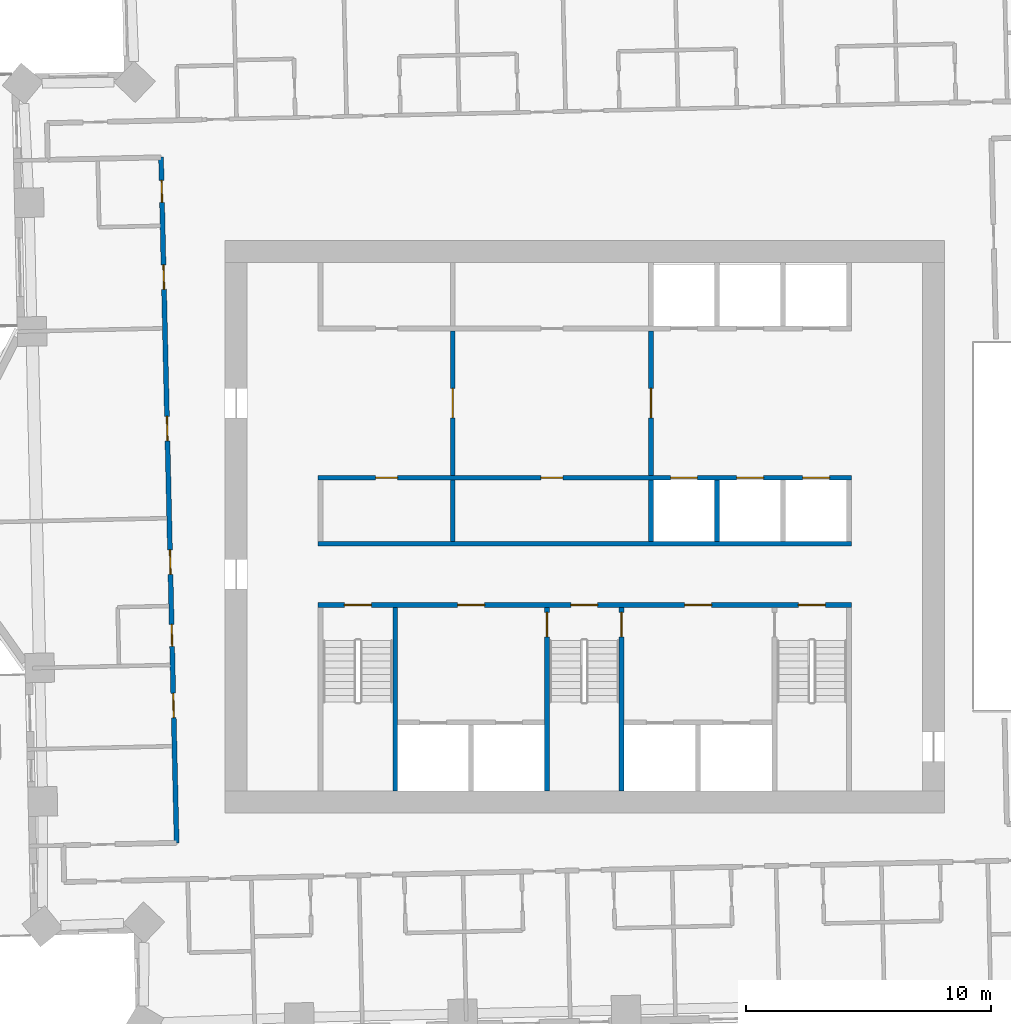
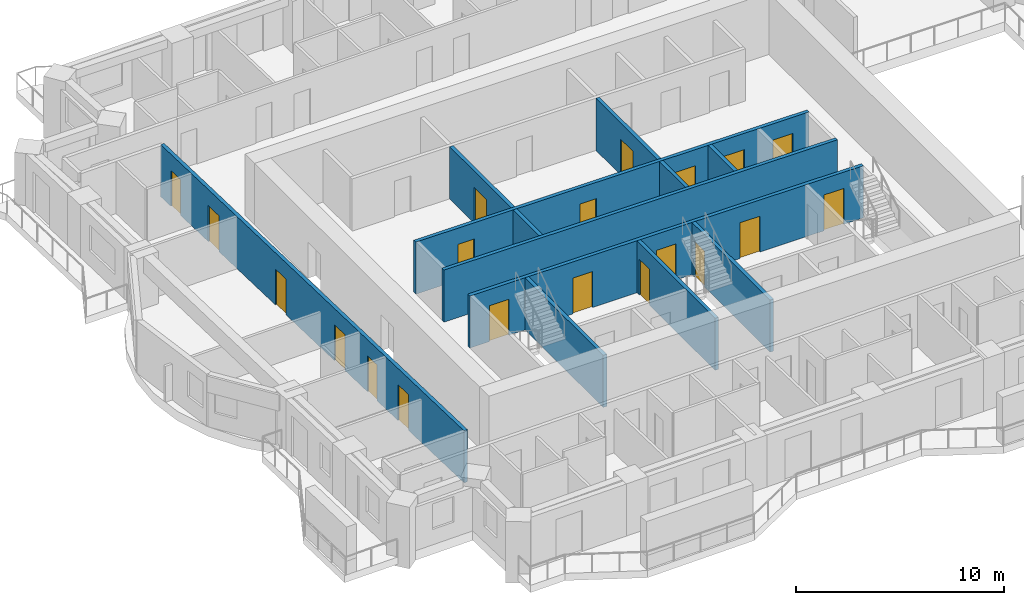
# One storey, part 8 of 16: 20 doors, 12 walls, 20 openings.
"""IFC4 building model written with IfcOpenShell, lengths in metres."""

from ifc_helpers import new_model, si_unit, direction, frame, frame_2d, origin, place, context, subcontext, project, spatial, rectangle, extrude, material, layer, layer_set, type_object, element, fill, save


model = new_model("IFC4")

# Units and contexts
model_context = context("Model", 3, precision=1e-05, world=origin(), true_north=direction((0.0, 1.0)))
body_context = subcontext(model_context, "Body", "Model", "MODEL_VIEW")
ifc_project = project(units=[si_unit("LENGTHUNIT", "METRE"), si_unit("AREAUNIT", "SQUARE_METRE"), si_unit("VOLUMEUNIT", "CUBIC_METRE"), si_unit("PLANEANGLEUNIT", "RADIAN"), si_unit("MASSUNIT", "GRAM", prefix="KILO")], contexts=[model_context])

# Site, building, storey
site_placement = place(None, origin())
site = spatial("IfcSite", under=ifc_project, at=site_placement, CompositionType="ELEMENT")
building_placement = place(site_placement, origin())
building = spatial("IfcBuilding", under=site, at=building_placement, Name="Mangrove Gate Tower", CompositionType="ELEMENT")
storey_placement = place(building_placement, frame((0.0, 0.0, 178.89990234375)))
storey = spatial("IfcBuildingStorey", under=building, at=storey_placement, Name="L45", CompositionType="ELEMENT", Elevation=178.89990234375)

# Wall, opening, door
ifc_material_1 = material(Name="Concrete C32/40", Category="concrete")
ifc_layer_1 = layer(ifc_material_1, 0.199951171875)
ifc_layer_set_1 = layer_set([ifc_layer_1], Name="Core lobby wall 200 C32/40")
wall_type_1 = type_object("IfcWallType", Name="Core lobby wall 200 C32/40", PredefinedType="STANDARD", material=ifc_layer_set_1)
wall_1_placement = place(storey_placement, frame((-5.39990234375, 2.10009765625, 0.0), z_axis=(0.0, 0.0, 1.0), x_axis=(0.0, 1.0, 0.0)))
wall_1 = element("IfcWall", 1, at=wall_1_placement, inside=storey, type_object=wall_type_1, Name="WALL-L45-CORE-31", PredefinedType="STANDARD", context=body_context, shape_type="SweptSolid", body=[
    extrude(rectangle(XDim=5.89990234375, YDim=0.199951171875, at=frame_2d((2.949951171875, 0.0))), origin(), (0.0, 0.0, 1.0), 3.050048828125),
])
opening_1_placement = place(wall_1_placement, frame((2.35009765625, 0.0, 0.0)))
opening_1 = element("IfcOpeningElement", 2, at=opening_1_placement, cuts=wall_1, Name="Opening FL12", PredefinedType="OPENING", context=body_context, shape_type="SweptSolid", body=[
    extrude(rectangle(XDim=1.199951171875, YDim=2.10009765625, at=frame_2d((0.60009765625, 1.050048828125))), frame((0.0, 0.10986328125, 0.0), z_axis=(0.0, -1.0, 0.0), x_axis=(1.0, 0.0, 0.0)), (0.0, 0.0, 1.0), 0.219970703125),
])
ifc_material_2 = material(Name="Fire-rated steel door set", Category="steel")
door_type_1 = type_object("IfcDoorType", Name="Lobby door FD60 1200x2100", OperationType="SINGLE_SWING_LEFT", PredefinedType="DOOR", material=ifc_material_2)
door_1_placement = place(opening_1_placement, origin())
door_1 = element("IfcDoor", 3, at=door_1_placement, inside=storey, type_object=door_type_1, Name="Lobby door lift lobby partition", OperationType="SINGLE_SWING_LEFT", OverallHeight=2.10009765625, OverallWidth=1.199951171875, PredefinedType="DOOR", context=body_context, shape_type="SweptSolid", body=[
    extrude(rectangle(XDim=1.199951171875, YDim=2.10009765625, at=frame_2d((0.60009765625, 1.050048828125))), frame((0.0, 0.02490234375, 0.0), z_axis=(0.0, -1.0, 0.0), x_axis=(1.0, 0.0, 0.0)), (0.0, 0.0, 1.0), 0.050048828125),
])
fill(opening_1, door_1)

wall_2_placement = place(storey_placement, frame((2.699951171875, 2.10009765625, 0.0), z_axis=(0.0, 0.0, 1.0), x_axis=(0.0, 1.0, 0.0)))
wall_2 = element("IfcWall", 4, at=wall_2_placement, inside=storey, type_object=wall_type_1, Name="WALL-L45-CORE-32", PredefinedType="STANDARD", context=body_context, shape_type="SweptSolid", body=[
    extrude(rectangle(XDim=5.89990234375, YDim=0.199951171875, at=frame_2d((2.949951171875, 0.0))), origin(), (0.0, 0.0, 1.0), 3.050048828125),
])
opening_2_placement = place(wall_2_placement, frame((2.35009765625, 0.0, 0.0)))
opening_2 = element("IfcOpeningElement", 5, at=opening_2_placement, cuts=wall_2, Name="Opening FL12", PredefinedType="OPENING", context=body_context, shape_type="SweptSolid", body=[
    extrude(rectangle(XDim=1.199951171875, YDim=2.10009765625, at=frame_2d((0.60009765625, 1.050048828125))), frame((0.0, 0.10986328125, 0.0), z_axis=(0.0, -1.0, 0.0), x_axis=(1.0, 0.0, 0.0)), (0.0, 0.0, 1.0), 0.219970703125),
])
door_2_placement = place(opening_2_placement, origin())
door_2 = element("IfcDoor", 6, at=door_2_placement, inside=storey, type_object=door_type_1, Name="Lobby door lift lobby partition", OperationType="SINGLE_SWING_LEFT", OverallHeight=2.10009765625, OverallWidth=1.199951171875, PredefinedType="DOOR", context=body_context, shape_type="SweptSolid", body=[
    extrude(rectangle(XDim=1.199951171875, YDim=2.10009765625, at=frame_2d((0.60009765625, 1.050048828125))), frame((0.0, 0.02490234375, 0.0), z_axis=(0.0, -1.0, 0.0), x_axis=(1.0, 0.0, 0.0)), (0.0, 0.0, 1.0), 0.050048828125),
])
fill(opening_2, door_2)

# Walls
ifc_material_3 = material(Name="Concrete C32/40", Category="concrete")
ifc_layer_2 = layer(ifc_material_3, 0.199951171875)
ifc_layer_set_2 = layer_set([ifc_layer_2], Name="Core room wall 200 C32/40")
wall_type_2 = type_object("IfcWallType", Name="Core room wall 200 C32/40", PredefinedType="STANDARD", material=ifc_layer_set_2)
wall_3_placement = place(storey_placement, frame((-5.39990234375, -0.60009765625, 0.0), z_axis=(0.0, 0.0, 1.0), x_axis=(0.0, 1.0, 0.0)))
element("IfcWall", 7, at=wall_3_placement, inside=storey, type_object=wall_type_2, Name="WALL-L45-CORE-20", PredefinedType="STANDARD", context=body_context, shape_type="SweptSolid", body=[
    extrude(rectangle(XDim=2.5, YDim=0.199951171875, at=frame_2d((1.25, 0.0))), origin(), (0.0, 0.0, 1.0), 3.050048828125),
])
ifc_material_4 = material(Name="Concrete C60/75", Category="concrete")
ifc_layer_3 = layer(ifc_material_4, 0.199951171875)
ifc_layer_set_3 = layer_set([ifc_layer_3], Name="Core shaft wall 200 C60/75")
wall_type_3 = type_object("IfcWallType", Name="Core shaft wall 200 C60/75", PredefinedType="SHEAR", material=ifc_layer_set_3)
wall_4_placement = place(storey_placement, frame((-10.89990234375, -0.699951171875, 0.0), z_axis=(0.0, 0.0, 1.0), x_axis=(1.0, 0.0, 0.0)))
element("IfcWall", 8, at=wall_4_placement, inside=storey, type_object=wall_type_3, Name="WALL-L45-CORE-6", PredefinedType="SHEAR", context=body_context, shape_type="SweptSolid", body=[
    extrude(rectangle(XDim=21.7998046875, YDim=0.199951171875, at=frame_2d((10.89990234375, 0.0))), origin(), (0.0, 0.0, 1.0), 3.050048828125),
])

# Wall, openings, doors
wall_5_placement = place(storey_placement, frame((-10.89990234375, 2.0, 0.0), z_axis=(0.0, 0.0, 1.0), x_axis=(1.0, 0.0, 0.0)))
wall_5 = element("IfcWall", 9, at=wall_5_placement, inside=storey, type_object=wall_type_3, Name="WALL-L45-CORE-7", PredefinedType="SHEAR", context=body_context, shape_type="SweptSolid", body=[
    extrude(rectangle(XDim=21.7998046875, YDim=0.199951171875, at=frame_2d((10.89990234375, 0.0))), origin(), (0.0, 0.0, 1.0), 3.050048828125),
])
opening_3_placement = place(wall_5_placement, frame((14.39990234375, 0.0, 0.0)))
opening_3 = element("IfcOpeningElement", 10, at=opening_3_placement, cuts=wall_5, Name="Opening LD", PredefinedType="OPENING", context=body_context, shape_type="SweptSolid", body=[
    extrude(rectangle(XDim=1.10009765625, YDim=2.10009765625, at=frame_2d((0.550048828125, 1.050048828125))), frame((0.0, 0.10986328125, 0.0), z_axis=(0.0, -1.0, 0.0), x_axis=(1.0, 0.0, 0.0)), (0.0, 0.0, 1.0), 0.219970703125),
])
opening_4_placement = place(wall_5_placement, frame((17.10009765625, 0.0, 0.0)))
opening_4 = element("IfcOpeningElement", 11, at=opening_4_placement, cuts=wall_5, Name="Opening LD", PredefinedType="OPENING", context=body_context, shape_type="SweptSolid", body=[
    extrude(rectangle(XDim=1.10009765625, YDim=2.10009765625, at=frame_2d((0.550048828125, 1.050048828125))), frame((0.0, 0.10986328125, 0.0), z_axis=(0.0, -1.0, 0.0), x_axis=(1.0, 0.0, 0.0)), (0.0, 0.0, 1.0), 0.219970703125),
])
opening_5_placement = place(wall_5_placement, frame((19.800048828125, 0.0, 0.0)))
opening_5 = element("IfcOpeningElement", 12, at=opening_5_placement, cuts=wall_5, Name="Opening LD", PredefinedType="OPENING", context=body_context, shape_type="SweptSolid", body=[
    extrude(rectangle(XDim=1.10009765625, YDim=2.10009765625, at=frame_2d((0.550048828125, 1.050048828125))), frame((0.0, 0.10986328125, 0.0), z_axis=(0.0, -1.0, 0.0), x_axis=(1.0, 0.0, 0.0)), (0.0, 0.0, 1.0), 0.219970703125),
])
opening_6_placement = place(wall_5_placement, frame((2.35009765625, 0.0, 0.0)))
opening_6 = element("IfcOpeningElement", 13, at=opening_6_placement, cuts=wall_5, Name="Opening KD", PredefinedType="OPENING", context=body_context, shape_type="SweptSolid", body=[
    extrude(rectangle(XDim=0.89990234375, YDim=2.10009765625, at=frame_2d((0.449951171875, 1.050048828125))), frame((0.0, 0.10986328125, 0.0), z_axis=(0.0, -1.0, 0.0), x_axis=(1.0, 0.0, 0.0)), (0.0, 0.0, 1.0), 0.219970703125),
])
opening_7_placement = place(wall_5_placement, frame((9.10009765625, 0.0, 0.0)))
opening_7 = element("IfcOpeningElement", 14, at=opening_7_placement, cuts=wall_5, Name="Opening KD", PredefinedType="OPENING", context=body_context, shape_type="SweptSolid", body=[
    extrude(rectangle(XDim=0.89990234375, YDim=2.10009765625, at=frame_2d((0.449951171875, 1.050048828125))), frame((0.0, 0.10986328125, 0.0), z_axis=(0.0, -1.0, 0.0), x_axis=(1.0, 0.0, 0.0)), (0.0, 0.0, 1.0), 0.219970703125),
])
ifc_material_5 = material(Name="Fire-rated steel door set", Category="steel")
door_type_2 = type_object("IfcDoorType", Name="Core room door FD30S 900x2100", OperationType="SINGLE_SWING_RIGHT", PredefinedType="DOOR", material=ifc_material_5)
door_3_placement = place(opening_6_placement, origin())
door_3 = element("IfcDoor", 15, at=door_3_placement, inside=storey, type_object=door_type_2, Name="Core room door Cleaner's store", OperationType="SINGLE_SWING_RIGHT", OverallHeight=2.10009765625, OverallWidth=0.89990234375, PredefinedType="DOOR", context=body_context, shape_type="SweptSolid", body=[
    extrude(rectangle(XDim=0.89990234375, YDim=2.10009765625, at=frame_2d((0.449951171875, 1.050048828125))), frame((0.0, 0.02490234375, 0.0), z_axis=(0.0, -1.0, 0.0), x_axis=(1.0, 0.0, 0.0)), (0.0, 0.0, 1.0), 0.050048828125),
])
fill(opening_6, door_3)
door_4_placement = place(opening_7_placement, origin())
door_4 = element("IfcDoor", 16, at=door_4_placement, inside=storey, type_object=door_type_2, Name="Core room door Refuse store", OperationType="SINGLE_SWING_RIGHT", OverallHeight=2.10009765625, OverallWidth=0.89990234375, PredefinedType="DOOR", context=body_context, shape_type="SweptSolid", body=[
    extrude(rectangle(XDim=0.89990234375, YDim=2.10009765625, at=frame_2d((0.449951171875, 1.050048828125))), frame((0.0, 0.02490234375, 0.0), z_axis=(0.0, -1.0, 0.0), x_axis=(1.0, 0.0, 0.0)), (0.0, 0.0, 1.0), 0.050048828125),
])
fill(opening_7, door_4)
ifc_material_6 = material(Name="Stainless steel 316", Category="steel")
door_type_3 = type_object("IfcDoorType", Name="Lift landing door 1100x2100", OperationType="SLIDING_TO_LEFT", PredefinedType="DOOR", material=ifc_material_6)
door_5_placement = place(opening_3_placement, origin())
door_5 = element("IfcDoor", 17, at=door_5_placement, inside=storey, type_object=door_type_3, Name="Landing door LD M01", OperationType="SLIDING_TO_LEFT", OverallHeight=2.10009765625, OverallWidth=1.10009765625, PredefinedType="DOOR", context=body_context, shape_type="SweptSolid", body=[
    extrude(rectangle(XDim=1.10009765625, YDim=2.10009765625, at=frame_2d((0.550048828125, 1.050048828125))), frame((0.0, 0.02490234375, 0.0), z_axis=(0.0, -1.0, 0.0), x_axis=(1.0, 0.0, 0.0)), (0.0, 0.0, 1.0), 0.050048828125),
])
fill(opening_3, door_5)
door_6_placement = place(opening_4_placement, origin())
door_6 = element("IfcDoor", 18, at=door_6_placement, inside=storey, type_object=door_type_3, Name="Landing door LD M02", OperationType="SLIDING_TO_LEFT", OverallHeight=2.10009765625, OverallWidth=1.10009765625, PredefinedType="DOOR", context=body_context, shape_type="SweptSolid", body=[
    extrude(rectangle(XDim=1.10009765625, YDim=2.10009765625, at=frame_2d((0.550048828125, 1.050048828125))), frame((0.0, 0.02490234375, 0.0), z_axis=(0.0, -1.0, 0.0), x_axis=(1.0, 0.0, 0.0)), (0.0, 0.0, 1.0), 0.050048828125),
])
fill(opening_4, door_6)
door_7_placement = place(opening_5_placement, origin())
door_7 = element("IfcDoor", 19, at=door_7_placement, inside=storey, type_object=door_type_3, Name="Landing door LD M03", OperationType="SLIDING_TO_LEFT", OverallHeight=2.10009765625, OverallWidth=1.10009765625, PredefinedType="DOOR", context=body_context, shape_type="SweptSolid", body=[
    extrude(rectangle(XDim=1.10009765625, YDim=2.10009765625, at=frame_2d((0.550048828125, 1.050048828125))), frame((0.0, 0.02490234375, 0.0), z_axis=(0.0, -1.0, 0.0), x_axis=(1.0, 0.0, 0.0)), (0.0, 0.0, 1.0), 0.050048828125),
])
fill(opening_5, door_7)

# Walls
for number, where, z_axis, x_axis, name in (
    (20, (2.699951171875, -0.60009765625, 0.0), (0.0, 0.0, 1.0), (0.0, 1.0, 0.0), "WALL-L45-CORE-21"),
    (21, (5.39990234375, -0.60009765625, 0.0), (0.0, 0.0, 1.0), (0.0, 1.0, 0.0), "WALL-L45-CORE-22"),
):
    element("IfcWall", number, at=place(storey_placement, frame(where, z_axis=z_axis, x_axis=x_axis)), inside=storey, type_object=wall_type_3, Name=name, PredefinedType="SHEAR", context=body_context, shape_type="SweptSolid", body=[
        extrude(rectangle(XDim=2.5, YDim=0.199951171875, at=frame_2d((1.25, 0.0))), origin(), (0.0, 0.0, 1.0), 3.050048828125),
    ])

# Wall, openings, doors
ifc_material_7 = material(Name="Concrete C60/75", Category="concrete")
ifc_layer_4 = layer(ifc_material_7, 0.199951171875)
ifc_layer_set_4 = layer_set([ifc_layer_4], Name="Core stair wall 200 C60/75")
wall_type_4 = type_object("IfcWallType", Name="Core stair wall 200 C60/75", PredefinedType="SHEAR", material=ifc_layer_set_4)
wall_6_placement = place(storey_placement, frame((-10.89990234375, -3.199951171875, 0.0), z_axis=(0.0, 0.0, 1.0), x_axis=(1.0, 0.0, 0.0)))
wall_6 = element("IfcWall", 22, at=wall_6_placement, inside=storey, type_object=wall_type_4, Name="WALL-L45-CORE-5", PredefinedType="SHEAR", context=body_context, shape_type="SweptSolid", body=[
    extrude(rectangle(XDim=21.7998046875, YDim=0.199951171875, at=frame_2d((10.89990234375, 0.0))), origin(), (0.0, 0.0, 1.0), 3.050048828125),
])
opening_8_placement = place(wall_6_placement, frame((1.074951171875, 0.0, 0.0)))
opening_8 = element("IfcOpeningElement", 23, at=opening_8_placement, cuts=wall_6, Name="Opening STD11", PredefinedType="OPENING", context=body_context, shape_type="SweptSolid", body=[
    extrude(rectangle(XDim=1.10009765625, YDim=2.10009765625, at=frame_2d((0.550048828125, 1.050048828125))), frame((0.0, 0.10986328125, 0.0), z_axis=(0.0, -1.0, 0.0), x_axis=(1.0, 0.0, 0.0)), (0.0, 0.0, 1.0), 0.219970703125),
])
opening_9_placement = place(wall_6_placement, frame((10.324951171875, 0.0, 0.0)))
opening_9 = element("IfcOpeningElement", 24, at=opening_9_placement, cuts=wall_6, Name="Opening STD11", PredefinedType="OPENING", context=body_context, shape_type="SweptSolid", body=[
    extrude(rectangle(XDim=1.10009765625, YDim=2.10009765625, at=frame_2d((0.550048828125, 1.050048828125))), frame((0.0, 0.10986328125, 0.0), z_axis=(0.0, -1.0, 0.0), x_axis=(1.0, 0.0, 0.0)), (0.0, 0.0, 1.0), 0.219970703125),
])
opening_10_placement = place(wall_6_placement, frame((19.625, 0.0, 0.0)))
opening_10 = element("IfcOpeningElement", 25, at=opening_10_placement, cuts=wall_6, Name="Opening STD11", PredefinedType="OPENING", context=body_context, shape_type="SweptSolid", body=[
    extrude(rectangle(XDim=1.10009765625, YDim=2.10009765625, at=frame_2d((0.550048828125, 1.050048828125))), frame((0.0, 0.10986328125, 0.0), z_axis=(0.0, -1.0, 0.0), x_axis=(1.0, 0.0, 0.0)), (0.0, 0.0, 1.0), 0.219970703125),
])
opening_11_placement = place(wall_6_placement, frame((5.699951171875, 0.0, 0.0)))
opening_11 = element("IfcOpeningElement", 26, at=opening_11_placement, cuts=wall_6, Name="Opening FL", PredefinedType="OPENING", context=body_context, shape_type="SweptSolid", body=[
    extrude(rectangle(XDim=1.10009765625, YDim=2.10009765625, at=frame_2d((0.550048828125, 1.050048828125))), frame((0.0, 0.10986328125, 0.0), z_axis=(0.0, -1.0, 0.0), x_axis=(1.0, 0.0, 0.0)), (0.0, 0.0, 1.0), 0.219970703125),
])
opening_12_placement = place(wall_6_placement, frame((14.97509765625, 0.0, 0.0)))
opening_12 = element("IfcOpeningElement", 27, at=opening_12_placement, cuts=wall_6, Name="Opening FL", PredefinedType="OPENING", context=body_context, shape_type="SweptSolid", body=[
    extrude(rectangle(XDim=1.10009765625, YDim=2.10009765625, at=frame_2d((0.550048828125, 1.050048828125))), frame((0.0, 0.10986328125, 0.0), z_axis=(0.0, -1.0, 0.0), x_axis=(1.0, 0.0, 0.0)), (0.0, 0.0, 1.0), 0.219970703125),
])
ifc_material_8 = material(Name="Fire-rated steel door set", Category="steel")
door_type_4 = type_object("IfcDoorType", Name="Lobby door FD60 1100x2100", OperationType="SINGLE_SWING_LEFT", PredefinedType="DOOR", material=ifc_material_8)
door_8_placement = place(opening_11_placement, origin())
door_8 = element("IfcDoor", 28, at=door_8_placement, inside=storey, type_object=door_type_4, Name="Lobby door service lobby", OperationType="SINGLE_SWING_LEFT", OverallHeight=2.10009765625, OverallWidth=1.10009765625, PredefinedType="DOOR", context=body_context, shape_type="SweptSolid", body=[
    extrude(rectangle(XDim=1.10009765625, YDim=2.10009765625, at=frame_2d((0.550048828125, 1.050048828125))), frame((0.0, 0.02490234375, 0.0), z_axis=(0.0, -1.0, 0.0), x_axis=(1.0, 0.0, 0.0)), (0.0, 0.0, 1.0), 0.050048828125),
])
fill(opening_11, door_8)
door_9_placement = place(opening_12_placement, origin())
door_9 = element("IfcDoor", 29, at=door_9_placement, inside=storey, type_object=door_type_4, Name="Lobby door fire-fighting lobby", OperationType="SINGLE_SWING_LEFT", OverallHeight=2.10009765625, OverallWidth=1.10009765625, PredefinedType="DOOR", context=body_context, shape_type="SweptSolid", body=[
    extrude(rectangle(XDim=1.10009765625, YDim=2.10009765625, at=frame_2d((0.550048828125, 1.050048828125))), frame((0.0, 0.02490234375, 0.0), z_axis=(0.0, -1.0, 0.0), x_axis=(1.0, 0.0, 0.0)), (0.0, 0.0, 1.0), 0.050048828125),
])
fill(opening_12, door_9)
ifc_material_9 = material(Name="Fire-rated steel door set", Category="steel")
door_type_5 = type_object("IfcDoorType", Name="Stair door FD60 1100x2100", OperationType="SINGLE_SWING_RIGHT", PredefinedType="DOOR", material=ifc_material_9)
door_10_placement = place(opening_8_placement, origin())
door_10 = element("IfcDoor", 30, at=door_10_placement, inside=storey, type_object=door_type_5, Name="Stair door Stair 1", OperationType="SINGLE_SWING_RIGHT", OverallHeight=2.10009765625, OverallWidth=1.10009765625, PredefinedType="DOOR", context=body_context, shape_type="SweptSolid", body=[
    extrude(rectangle(XDim=1.10009765625, YDim=2.10009765625, at=frame_2d((0.550048828125, 1.050048828125))), frame((0.0, 0.02490234375, 0.0), z_axis=(0.0, -1.0, 0.0), x_axis=(1.0, 0.0, 0.0)), (0.0, 0.0, 1.0), 0.050048828125),
])
fill(opening_8, door_10)
door_11_placement = place(opening_9_placement, origin())
door_11 = element("IfcDoor", 31, at=door_11_placement, inside=storey, type_object=door_type_5, Name="Stair door Stair 2", OperationType="SINGLE_SWING_RIGHT", OverallHeight=2.10009765625, OverallWidth=1.10009765625, PredefinedType="DOOR", context=body_context, shape_type="SweptSolid", body=[
    extrude(rectangle(XDim=1.10009765625, YDim=2.10009765625, at=frame_2d((0.550048828125, 1.050048828125))), frame((0.0, 0.02490234375, 0.0), z_axis=(0.0, -1.0, 0.0), x_axis=(1.0, 0.0, 0.0)), (0.0, 0.0, 1.0), 0.050048828125),
])
fill(opening_9, door_11)
door_12_placement = place(opening_10_placement, origin())
door_12 = element("IfcDoor", 32, at=door_12_placement, inside=storey, type_object=door_type_5, Name="Stair door Stair 3", OperationType="SINGLE_SWING_RIGHT", OverallHeight=2.10009765625, OverallWidth=1.10009765625, PredefinedType="DOOR", context=body_context, shape_type="SweptSolid", body=[
    extrude(rectangle(XDim=1.10009765625, YDim=2.10009765625, at=frame_2d((0.550048828125, 1.050048828125))), frame((0.0, 0.02490234375, 0.0), z_axis=(0.0, -1.0, 0.0), x_axis=(1.0, 0.0, 0.0)), (0.0, 0.0, 1.0), 0.050048828125),
])
fill(opening_10, door_12)

# Wall
wall_7_placement = place(storey_placement, frame((-7.75, -10.800048828125, 0.0), z_axis=(0.0, 0.0, 1.0), x_axis=(0.0, 1.0, 0.0)))
element("IfcWall", 33, at=wall_7_placement, inside=storey, type_object=wall_type_4, Name="WALL-L45-CORE-10", PredefinedType="SHEAR", context=body_context, shape_type="SweptSolid", body=[
    extrude(rectangle(XDim=7.5, YDim=0.199951171875, at=frame_2d((3.75, 0.0))), origin(), (0.0, 0.0, 1.0), 3.050048828125),
])

# Wall, opening, door
wall_8_placement = place(storey_placement, frame((-1.550048828125, -10.800048828125, 0.0), z_axis=(0.0, 0.0, 1.0), x_axis=(0.0, 1.0, 0.0)))
wall_8 = element("IfcWall", 34, at=wall_8_placement, inside=storey, type_object=wall_type_4, Name="WALL-L45-CORE-11", PredefinedType="SHEAR", context=body_context, shape_type="SweptSolid", body=[
    extrude(rectangle(XDim=7.5, YDim=0.199951171875, at=frame_2d((3.75, 0.0))), origin(), (0.0, 0.0, 1.0), 3.050048828125),
])
opening_13_placement = place(wall_8_placement, frame((6.300048828125, 0.0, 0.0)))
opening_13 = element("IfcOpeningElement", 35, at=opening_13_placement, cuts=wall_8, Name="Opening STD10", PredefinedType="OPENING", context=body_context, shape_type="SweptSolid", body=[
    extrude(rectangle(XDim=1.0, YDim=2.10009765625, at=frame_2d((0.5, 1.050048828125))), frame((0.0, 0.10986328125, 0.0), z_axis=(0.0, -1.0, 0.0), x_axis=(1.0, 0.0, 0.0)), (0.0, 0.0, 1.0), 0.219970703125),
])
ifc_material_10 = material(Name="Fire-rated steel door set", Category="steel")
door_type_6 = type_object("IfcDoorType", Name="Stair door FD60 1000x2100", OperationType="SINGLE_SWING_RIGHT", PredefinedType="DOOR", material=ifc_material_10)
door_13_placement = place(opening_13_placement, origin())
door_13 = element("IfcDoor", 36, at=door_13_placement, inside=storey, type_object=door_type_6, Name="Stair door Stair 2 from service lobby", OperationType="SINGLE_SWING_RIGHT", OverallHeight=2.10009765625, OverallWidth=1.0, PredefinedType="DOOR", context=body_context, shape_type="SweptSolid", body=[
    extrude(rectangle(XDim=1.0, YDim=2.10009765625, at=frame_2d((0.5, 1.050048828125))), frame((0.0, 0.02490234375, 0.0), z_axis=(0.0, -1.0, 0.0), x_axis=(1.0, 0.0, 0.0)), (0.0, 0.0, 1.0), 0.050048828125),
])
fill(opening_13, door_13)

wall_9_placement = place(storey_placement, frame((1.5, -10.800048828125, 0.0), z_axis=(0.0, 0.0, 1.0), x_axis=(0.0, 1.0, 0.0)))
wall_9 = element("IfcWall", 37, at=wall_9_placement, inside=storey, type_object=wall_type_4, Name="WALL-L45-CORE-12", PredefinedType="SHEAR", context=body_context, shape_type="SweptSolid", body=[
    extrude(rectangle(XDim=7.5, YDim=0.199951171875, at=frame_2d((3.75, 0.0))), origin(), (0.0, 0.0, 1.0), 3.050048828125),
])
opening_14_placement = place(wall_9_placement, frame((6.300048828125, 0.0, 0.0)))
opening_14 = element("IfcOpeningElement", 38, at=opening_14_placement, cuts=wall_9, Name="Opening STD10", PredefinedType="OPENING", context=body_context, shape_type="SweptSolid", body=[
    extrude(rectangle(XDim=1.0, YDim=2.10009765625, at=frame_2d((0.5, 1.050048828125))), frame((0.0, 0.10986328125, 0.0), z_axis=(0.0, -1.0, 0.0), x_axis=(1.0, 0.0, 0.0)), (0.0, 0.0, 1.0), 0.219970703125),
])
door_14_placement = place(opening_14_placement, origin())
door_14 = element("IfcDoor", 39, at=door_14_placement, inside=storey, type_object=door_type_6, Name="Stair door Stair 2 from fire-fighting lobby", OperationType="SINGLE_SWING_RIGHT", OverallHeight=2.10009765625, OverallWidth=1.0, PredefinedType="DOOR", context=body_context, shape_type="SweptSolid", body=[
    extrude(rectangle(XDim=1.0, YDim=2.10009765625, at=frame_2d((0.5, 1.050048828125))), frame((0.0, 0.02490234375, 0.0), z_axis=(0.0, -1.0, 0.0), x_axis=(1.0, 0.0, 0.0)), (0.0, 0.0, 1.0), 0.050048828125),
])
fill(opening_14, door_14)

# Wall, openings, doors
ifc_material_11 = material(Name="Gypsum board on steel stud, EI 60", Category="steel")
ifc_layer_5 = layer(ifc_material_11, 0.199951171875)
ifc_layer_set_5 = layer_set([ifc_layer_5], Name="Corridor wall EI 60")
wall_type_5 = type_object("IfcWallType", Name="Corridor wall EI 60", PredefinedType="PARTITIONING", material=ifc_layer_set_5)
wall_10_placement = place(storey_placement, frame((-16.68408203125, -12.9189453125, 0.0), z_axis=(0.0, 0.0, 1.0), x_axis=(-0.022694293906, 0.999742451346, 0.0)))
wall_10 = element("IfcWall", 40, at=wall_10_placement, inside=storey, type_object=wall_type_5, Name="WALL-L45-029", PredefinedType="PARTITIONING", context=body_context, shape_type="SweptSolid", body=[
    extrude(rectangle(XDim=28.024169921875, YDim=0.199951171875, at=frame_2d((14.01220703125, 0.0))), origin(), (0.0, 0.0, 1.0), 3.050048828125),
])
opening_15_placement = place(wall_10_placement, frame((22.625, 0.0, 0.0)))
opening_15 = element("IfcOpeningElement", 41, at=opening_15_placement, cuts=wall_10, Name="Opening AD", PredefinedType="OPENING", context=body_context, shape_type="SweptSolid", body=[
    extrude(rectangle(XDim=1.0, YDim=2.10009765625, at=frame_2d((0.5, 1.050048828125))), frame((0.0, 0.10986328125, 0.0), z_axis=(0.0, -1.0, 0.0), x_axis=(1.0, 0.0, 0.0)), (0.0, 0.0, 1.0), 0.219970703125),
])
opening_16_placement = place(wall_10_placement, frame((26.174072265625, 0.0, 0.0)))
opening_16 = element("IfcOpeningElement", 42, at=opening_16_placement, cuts=wall_10, Name="Opening SD", PredefinedType="OPENING", context=body_context, shape_type="SweptSolid", body=[
    extrude(rectangle(XDim=0.89990234375, YDim=2.10009765625, at=frame_2d((0.449951171875, 1.050048828125))), frame((0.0, 0.10986328125, 0.0), z_axis=(0.0, -1.0, 0.0), x_axis=(1.0, 0.0, 0.0)), (0.0, 0.0, 1.0), 0.219970703125),
])
opening_17_placement = place(wall_10_placement, frame((16.431884765625, 0.0, 0.0)))
opening_17 = element("IfcOpeningElement", 43, at=opening_17_placement, cuts=wall_10, Name="Opening AD", PredefinedType="OPENING", context=body_context, shape_type="SweptSolid", body=[
    extrude(rectangle(XDim=1.0, YDim=2.10009765625, at=frame_2d((0.5, 1.050048828125))), frame((0.0, 0.10986328125, 0.0), z_axis=(0.0, -1.0, 0.0), x_axis=(1.0, 0.0, 0.0)), (0.0, 0.0, 1.0), 0.219970703125),
])
opening_18_placement = place(wall_10_placement, frame((10.97509765625, 0.0, 0.0)))
opening_18 = element("IfcOpeningElement", 44, at=opening_18_placement, cuts=wall_10, Name="Opening AD", PredefinedType="OPENING", context=body_context, shape_type="SweptSolid", body=[
    extrude(rectangle(XDim=1.0, YDim=2.10009765625, at=frame_2d((0.5, 1.050048828125))), frame((0.0, 0.10986328125, 0.0), z_axis=(0.0, -1.0, 0.0), x_axis=(1.0, 0.0, 0.0)), (0.0, 0.0, 1.0), 0.219970703125),
])
opening_19_placement = place(wall_10_placement, frame((8.02490234375, 0.0, 0.0)))
opening_19 = element("IfcOpeningElement", 45, at=opening_19_placement, cuts=wall_10, Name="Opening SD", PredefinedType="OPENING", context=body_context, shape_type="SweptSolid", body=[
    extrude(rectangle(XDim=0.89990234375, YDim=2.10009765625, at=frame_2d((0.449951171875, 1.050048828125))), frame((0.0, 0.10986328125, 0.0), z_axis=(0.0, -1.0, 0.0), x_axis=(1.0, 0.0, 0.0)), (0.0, 0.0, 1.0), 0.219970703125),
])
opening_20_placement = place(wall_10_placement, frame((5.113037109375, 0.0, 0.0)))
opening_20 = element("IfcOpeningElement", 46, at=opening_20_placement, cuts=wall_10, Name="Opening AD", PredefinedType="OPENING", context=body_context, shape_type="SweptSolid", body=[
    extrude(rectangle(XDim=1.0, YDim=2.10009765625, at=frame_2d((0.5, 1.050048828125))), frame((0.0, 0.10986328125, 0.0), z_axis=(0.0, -1.0, 0.0), x_axis=(1.0, 0.0, 0.0)), (0.0, 0.0, 1.0), 0.219970703125),
])
ifc_material_12 = material(Name="Timber door leaf", Category="wood")
door_type_7 = type_object("IfcDoorType", Name="Amenity door 1000", OperationType="SINGLE_SWING_LEFT", PredefinedType="DOOR", material=ifc_material_12)
door_15_placement = place(opening_15_placement, origin())
door_15 = element("IfcDoor", 47, at=door_15_placement, inside=storey, type_object=door_type_7, Name="DOOR-L45-LNG-c5a", OperationType="SINGLE_SWING_LEFT", OverallHeight=2.10009765625, OverallWidth=1.0, PredefinedType="DOOR", context=body_context, shape_type="SweptSolid", body=[
    extrude(rectangle(XDim=1.0, YDim=2.10009765625, at=frame_2d((0.5, 1.050048828125))), frame((0.0, 0.02490234375, 0.0), z_axis=(0.0, -1.0, 0.0), x_axis=(1.0, 0.0, 0.0)), (0.0, 0.0, 1.0), 0.050048828125),
])
fill(opening_15, door_15)
door_16_placement = place(opening_17_placement, origin())
door_16 = element("IfcDoor", 48, at=door_16_placement, inside=storey, type_object=door_type_7, Name="DOOR-L45-LNG-c5b", OperationType="SINGLE_SWING_RIGHT", OverallHeight=2.10009765625, OverallWidth=1.0, PredefinedType="DOOR", context=body_context, shape_type="SweptSolid", body=[
    extrude(rectangle(XDim=1.0, YDim=2.10009765625, at=frame_2d((0.5, 1.050048828125))), frame((0.0, 0.02490234375, 0.0), z_axis=(0.0, -1.0, 0.0), x_axis=(1.0, 0.0, 0.0)), (0.0, 0.0, 1.0), 0.050048828125),
])
fill(opening_17, door_16)
door_17_placement = place(opening_18_placement, origin())
door_17 = element("IfcDoor", 49, at=door_17_placement, inside=storey, type_object=door_type_7, Name="DOOR-L45-GAM-c5a", OperationType="SINGLE_SWING_LEFT", OverallHeight=2.10009765625, OverallWidth=1.0, PredefinedType="DOOR", context=body_context, shape_type="SweptSolid", body=[
    extrude(rectangle(XDim=1.0, YDim=2.10009765625, at=frame_2d((0.5, 1.050048828125))), frame((0.0, 0.02490234375, 0.0), z_axis=(0.0, -1.0, 0.0), x_axis=(1.0, 0.0, 0.0)), (0.0, 0.0, 1.0), 0.050048828125),
])
fill(opening_18, door_17)
door_18_placement = place(opening_20_placement, origin())
door_18 = element("IfcDoor", 50, at=door_18_placement, inside=storey, type_object=door_type_7, Name="DOOR-L45-STU-c5a", OperationType="SINGLE_SWING_RIGHT", OverallHeight=2.10009765625, OverallWidth=1.0, PredefinedType="DOOR", context=body_context, shape_type="SweptSolid", body=[
    extrude(rectangle(XDim=1.0, YDim=2.10009765625, at=frame_2d((0.5, 1.050048828125))), frame((0.0, 0.02490234375, 0.0), z_axis=(0.0, -1.0, 0.0), x_axis=(1.0, 0.0, 0.0)), (0.0, 0.0, 1.0), 0.050048828125),
])
fill(opening_20, door_18)
ifc_material_13 = material(Name="Timber door leaf", Category="wood")
door_type_8 = type_object("IfcDoorType", Name="Service room door 900", OperationType="SINGLE_SWING_LEFT", PredefinedType="DOOR", material=ifc_material_13)
door_19_placement = place(opening_16_placement, origin())
door_19 = element("IfcDoor", 51, at=door_19_placement, inside=storey, type_object=door_type_8, Name="DOOR-L45-LDY-c5a", OperationType="SINGLE_SWING_LEFT", OverallHeight=2.10009765625, OverallWidth=0.89990234375, PredefinedType="DOOR", context=body_context, shape_type="SweptSolid", body=[
    extrude(rectangle(XDim=0.89990234375, YDim=2.10009765625, at=frame_2d((0.449951171875, 1.050048828125))), frame((0.0, 0.02490234375, 0.0), z_axis=(0.0, -1.0, 0.0), x_axis=(1.0, 0.0, 0.0)), (0.0, 0.0, 1.0), 0.050048828125),
])
fill(opening_16, door_19)
door_20_placement = place(opening_19_placement, origin())
door_20 = element("IfcDoor", 52, at=door_20_placement, inside=storey, type_object=door_type_8, Name="DOOR-L45-LIN-c5b", OperationType="SINGLE_SWING_RIGHT", OverallHeight=2.10009765625, OverallWidth=0.89990234375, PredefinedType="DOOR", context=body_context, shape_type="SweptSolid", body=[
    extrude(rectangle(XDim=0.89990234375, YDim=2.10009765625, at=frame_2d((0.449951171875, 1.050048828125))), frame((0.0, 0.02490234375, 0.0), z_axis=(0.0, -1.0, 0.0), x_axis=(1.0, 0.0, 0.0)), (0.0, 0.0, 1.0), 0.050048828125),
])
fill(opening_19, door_20)

save(model, "model.ifc")
